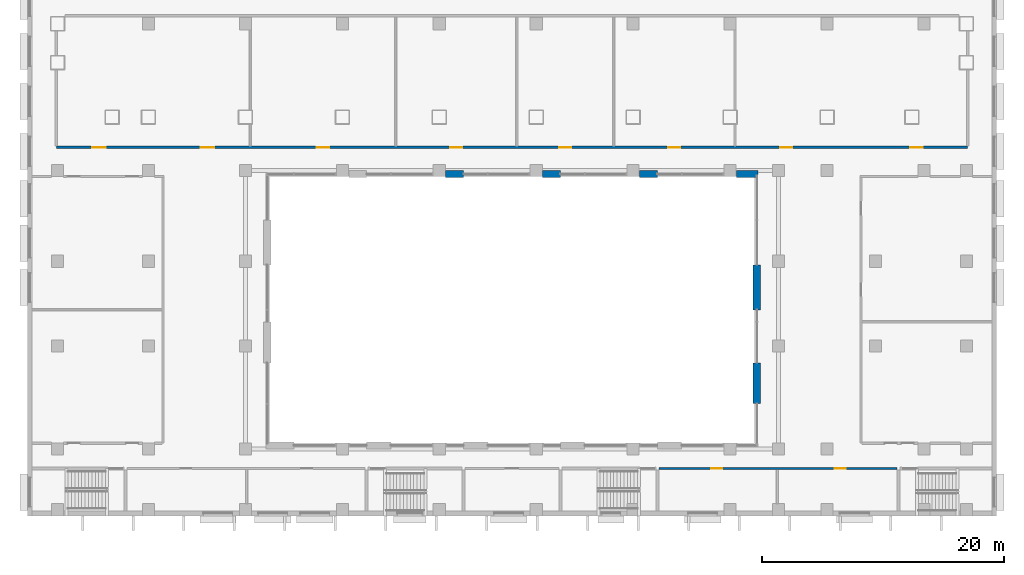
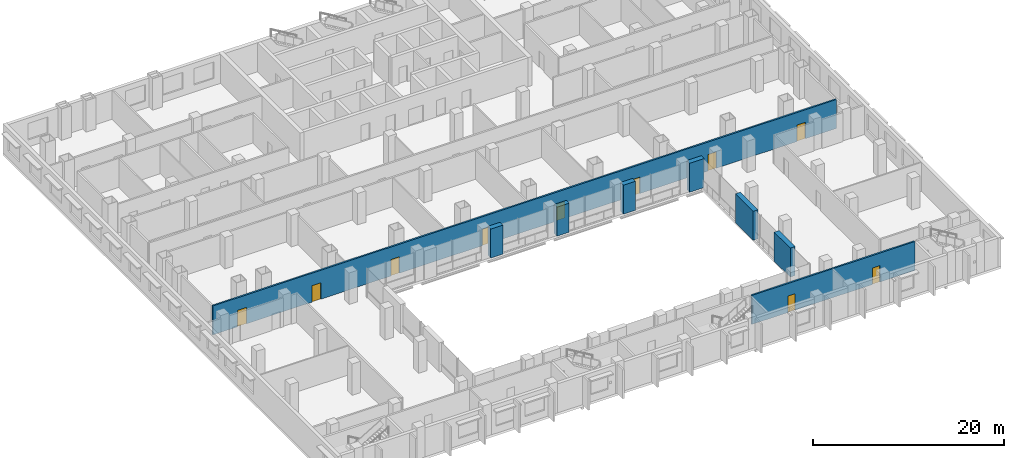
# One storey, part 10 of 25: 10 doors, 8 walls, 10 openings.
"""IFC4 building model written with IfcOpenShell, lengths in metres."""

from ifc_helpers import new_model, si_unit, direction, frame, frame_2d, origin, place, context, subcontext, project, spatial, rectangle, extrude, material, layer, layer_set, type_object, element, fill, save


model = new_model("IFC4")

# Units and contexts
model_context = context("Model", 3, precision=1e-05, world=origin(), true_north=direction((0.0, 1.0)))
body_context = subcontext(model_context, "Body", "Model", "MODEL_VIEW")
ifc_project = project(units=[si_unit("LENGTHUNIT", "METRE"), si_unit("AREAUNIT", "SQUARE_METRE"), si_unit("VOLUMEUNIT", "CUBIC_METRE"), si_unit("PLANEANGLEUNIT", "RADIAN"), si_unit("MASSUNIT", "GRAM", prefix="KILO")], contexts=[model_context])

# Site, building, storey
site_placement = place(None, origin())
site = spatial("IfcSite", under=ifc_project, at=site_placement, CompositionType="ELEMENT")
building_placement = place(site_placement, origin())
building = spatial("IfcBuilding", under=site, at=building_placement, Name="Vidyagriha Tower", CompositionType="ELEMENT")
storey_placement = place(building_placement, frame((0.0, 0.0, 10.0)))
storey = spatial("IfcBuildingStorey", under=building, at=storey_placement, Name="L02", CompositionType="ELEMENT", Elevation=10.0)

# Walls
ifc_material_1 = material(Name="Precast concrete C40/50 with brick facing", Category="concrete")
ifc_layer_1 = layer(ifc_material_1, 0.60009765625)
ifc_layer_set_1 = layer_set([ifc_layer_1], Name="Precast concrete C40/50 with brick facing")
wall_type_1 = type_object("IfcWallType", Name="Brick-faced precast wall 600", PredefinedType="STANDARD", material=ifc_layer_set_1)
for number, where, name in (
    (1, (-5.469970703125, -21.800048828125, 0.0), "Brick door bay wall L02 R09.8"),
    (2, (2.530029296875, -21.800048828125, 0.0), "Brick door bay wall L02 R09.12"),
    (3, (10.530029296875, -21.800048828125, 0.0), "Brick door bay wall L02 R09.16"),
):
    element("IfcWall", number, at=place(storey_placement, frame(where)), inside=storey, type_object=wall_type_1, Name=name, PredefinedType="STANDARD", context=body_context, shape_type="SweptSolid", body=[
        extrude(rectangle(XDim=1.469970703125, YDim=0.60009765625, at=frame_2d((0.73486328125, 0.0))), origin(), (0.0, 0.0, 1.0), 3.699951171875),
    ])
wall_1_placement = place(storey_placement, frame((18.530029296875, -21.800048828125, 0.0)))
element("IfcWall", 4, at=wall_1_placement, inside=storey, type_object=wall_type_1, Name="Brick door bay wall L02 R09.20", PredefinedType="STANDARD", context=body_context, shape_type="SweptSolid", body=[
    extrude(rectangle(XDim=1.75, YDim=0.60009765625, at=frame_2d((0.875, 0.0))), origin(), (0.0, 0.0, 1.0), 3.699951171875),
])
wall_2_placement = place(storey_placement, frame((20.199951171875, -29.293212890625, 0.0), z_axis=(0.0, 0.0, 1.0), x_axis=(0.0, -1.0, 0.0)))
element("IfcWall", 5, at=wall_2_placement, inside=storey, type_object=wall_type_1, Name="Brick door bay wall L02 R10.3", PredefinedType="STANDARD", context=body_context, shape_type="SweptSolid", body=[
    extrude(rectangle(XDim=3.706787109375, YDim=0.60009765625, at=frame_2d((1.853515625, 0.0))), origin(), (0.0, 0.0, 1.0), 3.699951171875),
])
wall_3_placement = place(storey_placement, frame((20.199951171875, -37.373291015625, 0.0), z_axis=(0.0, 0.0, 1.0), x_axis=(0.0, -1.0, 0.0)))
element("IfcWall", 6, at=wall_3_placement, inside=storey, type_object=wall_type_1, Name="Brick door bay wall L02 R10.6", PredefinedType="STANDARD", context=body_context, shape_type="SweptSolid", body=[
    extrude(rectangle(XDim=3.373291015625, YDim=0.60009765625, at=frame_2d((1.6865234375, 0.0))), origin(), (0.0, 0.0, 1.0), 3.699951171875),
])

# Wall, openings, doors
ifc_material_2 = material(Name="Fire rated gypsum board on light gauge framing")
ifc_layer_2 = layer(ifc_material_2, 0.199951171875)
ifc_layer_set_2 = layer_set([ifc_layer_2], Name="Fire rated gypsum board on light gauge framing")
wall_type_2 = type_object("IfcWallType", Name="Fire Rated Corridor Wall 200", PredefinedType="PARTITIONING", material=ifc_layer_set_2)
wall_4_placement = place(storey_placement, frame((12.125, -46.10009765625, 0.0)))
wall_4 = element("IfcWall", 7, at=wall_4_placement, inside=storey, type_object=wall_type_2, Name="L02 Fire Rated Corridor Wall 200 002", PredefinedType="PARTITIONING", context=body_context, shape_type="SweptSolid", body=[
    extrude(rectangle(XDim=19.64990234375, YDim=0.199951171875, at=frame_2d((9.824951171875, 0.0))), origin(), (0.0, 0.0, 1.0), 3.699951171875),
])
opening_1_placement = place(wall_4_placement, frame((4.324951171875, 0.0, 0.0)))
opening_1 = element("IfcOpeningElement", 8, at=opening_1_placement, cuts=wall_4, Name="Opening D02-25", PredefinedType="OPENING", context=body_context, shape_type="SweptSolid", body=[
    extrude(rectangle(XDim=0.89990234375, YDim=2.10009765625, at=frame_2d((0.449951171875, 1.050048828125))), frame((0.0, 0.10986328125, 0.0), z_axis=(0.0, -1.0, 0.0), x_axis=(1.0, 0.0, 0.0)), (0.0, 0.0, 1.0), 0.219970703125),
])
opening_2_placement = place(wall_4_placement, frame((14.52490234375, 0.0, 0.0)))
opening_2 = element("IfcOpeningElement", 9, at=opening_2_placement, cuts=wall_4, Name="Opening D02-26", PredefinedType="OPENING", context=body_context, shape_type="SweptSolid", body=[
    extrude(rectangle(XDim=0.89990234375, YDim=2.10009765625, at=frame_2d((0.449951171875, 1.050048828125))), frame((0.0, 0.10986328125, 0.0), z_axis=(0.0, -1.0, 0.0), x_axis=(1.0, 0.0, 0.0)), (0.0, 0.0, 1.0), 0.219970703125),
])
ifc_material_3 = material(Name="Steel fire door set", Category="steel")
door_type_1 = type_object("IfcDoorType", Name="Podium Door 900x2100 EI 30", OperationType="NOTDEFINED", PredefinedType="DOOR", material=ifc_material_3)
door_1_placement = place(opening_1_placement, frame((0.89990234375, 0.0, 0.0), z_axis=(0.0, 0.0, 1.0), x_axis=(-1.0, 0.0, 0.0)))
door_1 = element("IfcDoor", 10, at=door_1_placement, inside=storey, type_object=door_type_1, Name="L02 door D02-25", OperationType="SINGLE_SWING_LEFT", OverallHeight=2.10009765625, OverallWidth=0.89990234375, PredefinedType="DOOR", context=body_context, shape_type="SweptSolid", body=[
    extrude(rectangle(XDim=0.89990234375, YDim=2.10009765625, at=frame_2d((0.449951171875, 1.050048828125))), frame((0.0, 0.02490234375, 0.0), z_axis=(0.0, -1.0, 0.0), x_axis=(1.0, 0.0, 0.0)), (0.0, 0.0, 1.0), 0.050048828125),
])
fill(opening_1, door_1)
door_2_placement = place(opening_2_placement, frame((0.89990234375, 0.0, 0.0), z_axis=(0.0, 0.0, 1.0), x_axis=(-1.0, 0.0, 0.0)))
door_2 = element("IfcDoor", 11, at=door_2_placement, inside=storey, type_object=door_type_1, Name="L02 door D02-26", OperationType="SINGLE_SWING_RIGHT", OverallHeight=2.10009765625, OverallWidth=0.89990234375, PredefinedType="DOOR", context=body_context, shape_type="SweptSolid", body=[
    extrude(rectangle(XDim=0.89990234375, YDim=2.10009765625, at=frame_2d((0.449951171875, 1.050048828125))), frame((0.0, 0.02490234375, 0.0), z_axis=(0.0, -1.0, 0.0), x_axis=(1.0, 0.0, 0.0)), (0.0, 0.0, 1.0), 0.050048828125),
])
fill(opening_2, door_2)

wall_5_placement = place(storey_placement, frame((-37.599853515625, -19.60009765625, 0.0)))
wall_5 = element("IfcWall", 12, at=wall_5_placement, inside=storey, type_object=wall_type_2, Name="L02 Fire Rated Corridor Wall 200 021", PredefinedType="PARTITIONING", context=body_context, shape_type="SweptSolid", body=[
    extrude(rectangle(XDim=75.19970703125, YDim=0.199951171875, at=frame_2d((37.599853515625, 0.0))), origin(), (0.0, 0.0, 1.0), 3.699951171875),
])
opening_3_placement = place(wall_5_placement, frame((2.969970703125, 0.0, 0.0)))
opening_3 = element("IfcOpeningElement", 13, at=opening_3_placement, cuts=wall_5, Name="Opening D02-27", PredefinedType="OPENING", context=body_context, shape_type="SweptSolid", body=[
    extrude(rectangle(XDim=1.10009765625, YDim=2.10009765625, at=frame_2d((0.550048828125, 1.050048828125))), frame((0.0, 0.10986328125, 0.0), z_axis=(0.0, -1.0, 0.0), x_axis=(1.0, 0.0, 0.0)), (0.0, 0.0, 1.0), 0.219970703125),
])
opening_4_placement = place(wall_5_placement, frame((11.929931640625, 0.0, 0.0)))
opening_4 = element("IfcOpeningElement", 14, at=opening_4_placement, cuts=wall_5, Name="Opening D02-28", PredefinedType="OPENING", context=body_context, shape_type="SweptSolid", body=[
    extrude(rectangle(XDim=1.10009765625, YDim=2.10009765625, at=frame_2d((0.550048828125, 1.050048828125))), frame((0.0, 0.10986328125, 0.0), z_axis=(0.0, -1.0, 0.0), x_axis=(1.0, 0.0, 0.0)), (0.0, 0.0, 1.0), 0.219970703125),
])
opening_5_placement = place(wall_5_placement, frame((21.5, 0.0, 0.0)))
opening_5 = element("IfcOpeningElement", 15, at=opening_5_placement, cuts=wall_5, Name="Opening D02-29", PredefinedType="OPENING", context=body_context, shape_type="SweptSolid", body=[
    extrude(rectangle(XDim=1.0, YDim=2.10009765625, at=frame_2d((0.5, 1.050048828125))), frame((0.0, 0.10986328125, 0.0), z_axis=(0.0, -1.0, 0.0), x_axis=(1.0, 0.0, 0.0)), (0.0, 0.0, 1.0), 0.219970703125),
])
opening_6_placement = place(wall_5_placement, frame((32.5, 0.0, 0.0)))
opening_6 = element("IfcOpeningElement", 16, at=opening_6_placement, cuts=wall_5, Name="Opening D02-30", PredefinedType="OPENING", context=body_context, shape_type="SweptSolid", body=[
    extrude(rectangle(XDim=1.0, YDim=2.10009765625, at=frame_2d((0.5, 1.050048828125))), frame((0.0, 0.10986328125, 0.0), z_axis=(0.0, -1.0, 0.0), x_axis=(1.0, 0.0, 0.0)), (0.0, 0.0, 1.0), 0.219970703125),
])
opening_7_placement = place(wall_5_placement, frame((41.5, 0.0, 0.0)))
opening_7 = element("IfcOpeningElement", 17, at=opening_7_placement, cuts=wall_5, Name="Opening D02-31", PredefinedType="OPENING", context=body_context, shape_type="SweptSolid", body=[
    extrude(rectangle(XDim=1.0, YDim=2.10009765625, at=frame_2d((0.5, 1.050048828125))), frame((0.0, 0.10986328125, 0.0), z_axis=(0.0, -1.0, 0.0), x_axis=(1.0, 0.0, 0.0)), (0.0, 0.0, 1.0), 0.219970703125),
])
opening_8_placement = place(wall_5_placement, frame((50.5, 0.0, 0.0)))
opening_8 = element("IfcOpeningElement", 18, at=opening_8_placement, cuts=wall_5, Name="Opening D02-32", PredefinedType="OPENING", context=body_context, shape_type="SweptSolid", body=[
    extrude(rectangle(XDim=1.0, YDim=2.10009765625, at=frame_2d((0.5, 1.050048828125))), frame((0.0, 0.10986328125, 0.0), z_axis=(0.0, -1.0, 0.0), x_axis=(1.0, 0.0, 0.0)), (0.0, 0.0, 1.0), 0.219970703125),
])
opening_9_placement = place(wall_5_placement, frame((59.723876953125, 0.0, 0.0)))
opening_9 = element("IfcOpeningElement", 19, at=opening_9_placement, cuts=wall_5, Name="Opening D02-33", PredefinedType="OPENING", context=body_context, shape_type="SweptSolid", body=[
    extrude(rectangle(XDim=1.0, YDim=2.10009765625, at=frame_2d((0.5, 1.050048828125))), frame((0.0, 0.10986328125, 0.0), z_axis=(0.0, -1.0, 0.0), x_axis=(1.0, 0.0, 0.0)), (0.0, 0.0, 1.0), 0.219970703125),
])
opening_10_placement = place(wall_5_placement, frame((70.475830078125, 0.0, 0.0)))
opening_10 = element("IfcOpeningElement", 20, at=opening_10_placement, cuts=wall_5, Name="Opening D02-34", PredefinedType="OPENING", context=body_context, shape_type="SweptSolid", body=[
    extrude(rectangle(XDim=1.0, YDim=2.10009765625, at=frame_2d((0.5, 1.050048828125))), frame((0.0, 0.10986328125, 0.0), z_axis=(0.0, -1.0, 0.0), x_axis=(1.0, 0.0, 0.0)), (0.0, 0.0, 1.0), 0.219970703125),
])
ifc_material_4 = material(Name="Steel fire door set", Category="steel")
door_type_2 = type_object("IfcDoorType", Name="Podium Door 1000x2100 EI 30", OperationType="NOTDEFINED", PredefinedType="DOOR", material=ifc_material_4)
door_3_placement = place(opening_5_placement, origin())
door_3 = element("IfcDoor", 21, at=door_3_placement, inside=storey, type_object=door_type_2, Name="L02 door D02-29", OperationType="SINGLE_SWING_LEFT", OverallHeight=2.10009765625, OverallWidth=1.0, PredefinedType="DOOR", context=body_context, shape_type="SweptSolid", body=[
    extrude(rectangle(XDim=1.0, YDim=2.10009765625, at=frame_2d((0.5, 1.050048828125))), frame((0.0, 0.02490234375, 0.0), z_axis=(0.0, -1.0, 0.0), x_axis=(1.0, 0.0, 0.0)), (0.0, 0.0, 1.0), 0.050048828125),
])
fill(opening_5, door_3)
door_4_placement = place(opening_6_placement, origin())
door_4 = element("IfcDoor", 22, at=door_4_placement, inside=storey, type_object=door_type_2, Name="L02 door D02-30", OperationType="SINGLE_SWING_LEFT", OverallHeight=2.10009765625, OverallWidth=1.0, PredefinedType="DOOR", context=body_context, shape_type="SweptSolid", body=[
    extrude(rectangle(XDim=1.0, YDim=2.10009765625, at=frame_2d((0.5, 1.050048828125))), frame((0.0, 0.02490234375, 0.0), z_axis=(0.0, -1.0, 0.0), x_axis=(1.0, 0.0, 0.0)), (0.0, 0.0, 1.0), 0.050048828125),
])
fill(opening_6, door_4)
door_5_placement = place(opening_7_placement, origin())
door_5 = element("IfcDoor", 23, at=door_5_placement, inside=storey, type_object=door_type_2, Name="L02 door D02-31", OperationType="SINGLE_SWING_RIGHT", OverallHeight=2.10009765625, OverallWidth=1.0, PredefinedType="DOOR", context=body_context, shape_type="SweptSolid", body=[
    extrude(rectangle(XDim=1.0, YDim=2.10009765625, at=frame_2d((0.5, 1.050048828125))), frame((0.0, 0.02490234375, 0.0), z_axis=(0.0, -1.0, 0.0), x_axis=(1.0, 0.0, 0.0)), (0.0, 0.0, 1.0), 0.050048828125),
])
fill(opening_7, door_5)
door_6_placement = place(opening_8_placement, origin())
door_6 = element("IfcDoor", 24, at=door_6_placement, inside=storey, type_object=door_type_2, Name="L02 door D02-32", OperationType="SINGLE_SWING_RIGHT", OverallHeight=2.10009765625, OverallWidth=1.0, PredefinedType="DOOR", context=body_context, shape_type="SweptSolid", body=[
    extrude(rectangle(XDim=1.0, YDim=2.10009765625, at=frame_2d((0.5, 1.050048828125))), frame((0.0, 0.02490234375, 0.0), z_axis=(0.0, -1.0, 0.0), x_axis=(1.0, 0.0, 0.0)), (0.0, 0.0, 1.0), 0.050048828125),
])
fill(opening_8, door_6)
door_7_placement = place(opening_9_placement, origin())
door_7 = element("IfcDoor", 25, at=door_7_placement, inside=storey, type_object=door_type_2, Name="L02 door D02-33", OperationType="SINGLE_SWING_RIGHT", OverallHeight=2.10009765625, OverallWidth=1.0, PredefinedType="DOOR", context=body_context, shape_type="SweptSolid", body=[
    extrude(rectangle(XDim=1.0, YDim=2.10009765625, at=frame_2d((0.5, 1.050048828125))), frame((0.0, 0.02490234375, 0.0), z_axis=(0.0, -1.0, 0.0), x_axis=(1.0, 0.0, 0.0)), (0.0, 0.0, 1.0), 0.050048828125),
])
fill(opening_9, door_7)
door_8_placement = place(opening_10_placement, origin())
door_8 = element("IfcDoor", 26, at=door_8_placement, inside=storey, type_object=door_type_2, Name="L02 door D02-34", OperationType="SINGLE_SWING_RIGHT", OverallHeight=2.10009765625, OverallWidth=1.0, PredefinedType="DOOR", context=body_context, shape_type="SweptSolid", body=[
    extrude(rectangle(XDim=1.0, YDim=2.10009765625, at=frame_2d((0.5, 1.050048828125))), frame((0.0, 0.02490234375, 0.0), z_axis=(0.0, -1.0, 0.0), x_axis=(1.0, 0.0, 0.0)), (0.0, 0.0, 1.0), 0.050048828125),
])
fill(opening_10, door_8)
ifc_material_5 = material(Name="Steel fire door set", Category="steel")
door_type_3 = type_object("IfcDoorType", Name="Podium Door 1100x2100 EI 30", OperationType="NOTDEFINED", PredefinedType="DOOR", material=ifc_material_5)
door_9_placement = place(opening_3_placement, frame((1.10009765625, 0.0, 0.0), z_axis=(0.0, 0.0, 1.0), x_axis=(-1.0, 0.0, 0.0)))
door_9 = element("IfcDoor", 27, at=door_9_placement, inside=storey, type_object=door_type_3, Name="L02 door D02-27", OperationType="SINGLE_SWING_LEFT", OverallHeight=2.10009765625, OverallWidth=1.10009765625, PredefinedType="DOOR", context=body_context, shape_type="SweptSolid", body=[
    extrude(rectangle(XDim=1.10009765625, YDim=2.10009765625, at=frame_2d((0.550048828125, 1.050048828125))), frame((0.0, 0.02490234375, 0.0), z_axis=(0.0, -1.0, 0.0), x_axis=(1.0, 0.0, 0.0)), (0.0, 0.0, 1.0), 0.050048828125),
])
fill(opening_3, door_9)
door_10_placement = place(opening_4_placement, frame((1.10009765625, 0.0, 0.0), z_axis=(0.0, 0.0, 1.0), x_axis=(-1.0, 0.0, 0.0)))
door_10 = element("IfcDoor", 28, at=door_10_placement, inside=storey, type_object=door_type_3, Name="L02 door D02-28", OperationType="SINGLE_SWING_LEFT", OverallHeight=2.10009765625, OverallWidth=1.10009765625, PredefinedType="DOOR", context=body_context, shape_type="SweptSolid", body=[
    extrude(rectangle(XDim=1.10009765625, YDim=2.10009765625, at=frame_2d((0.550048828125, 1.050048828125))), frame((0.0, 0.02490234375, 0.0), z_axis=(0.0, -1.0, 0.0), x_axis=(1.0, 0.0, 0.0)), (0.0, 0.0, 1.0), 0.050048828125),
])
fill(opening_4, door_10)

save(model, "model.ifc")
